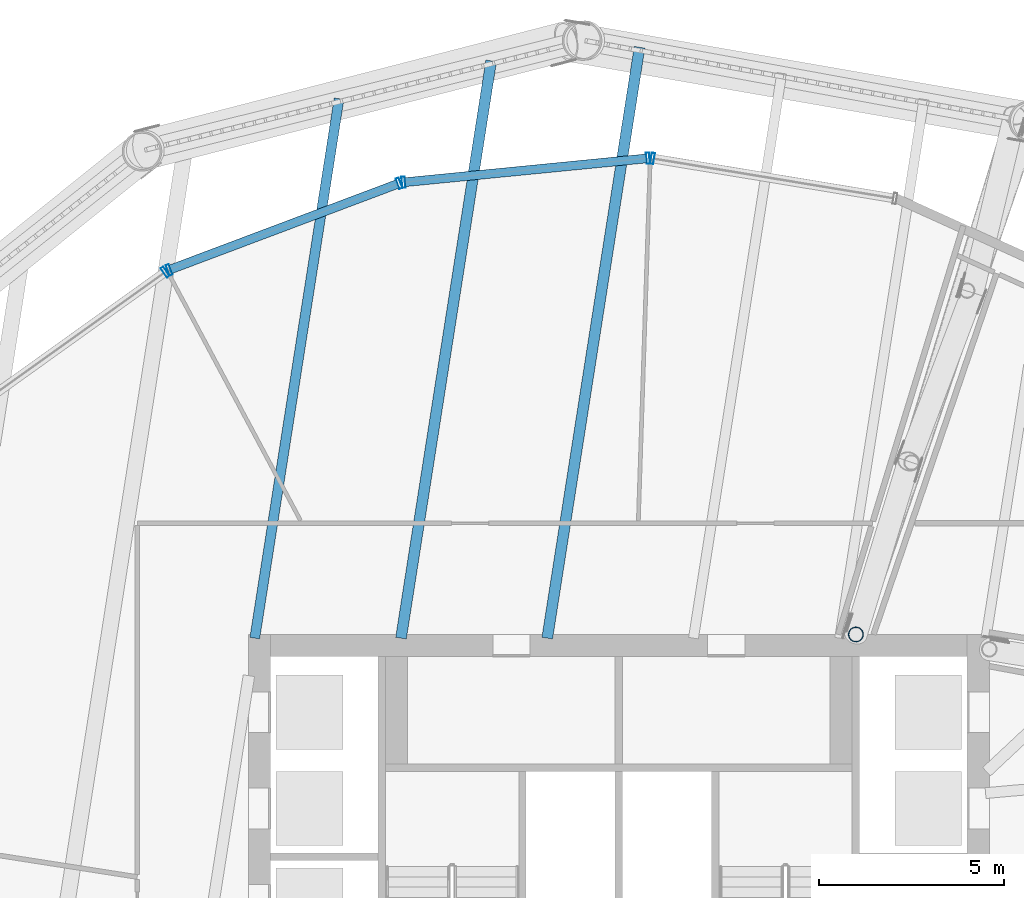
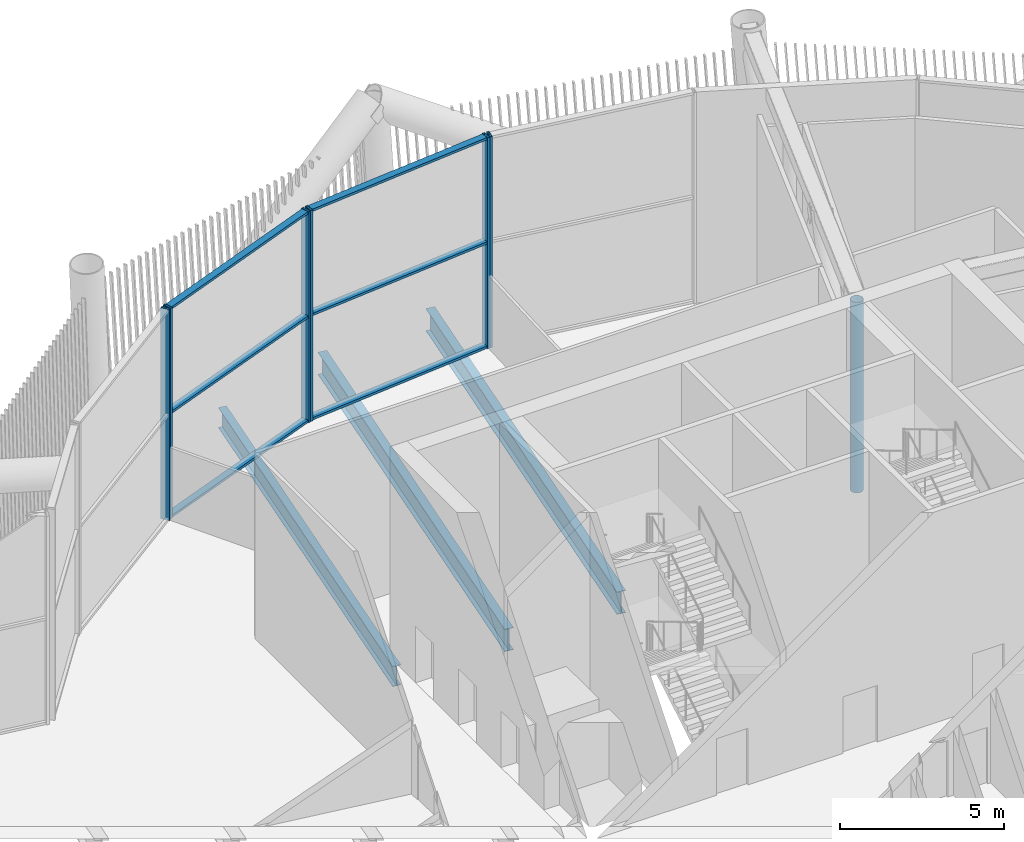
# One storey, part 23 of 55: 13 members, 3 beams, 4 elements without a shape of their own.
"""IFC4 building model written with IfcOpenShell, lengths in metres."""

from ifc_helpers import new_model, si_unit, direction, frame, origin, origin_2d, place, context, subcontext, project, spatial, hollow_rectangle, hollow_circle, i_section, extrude, material, layer, layer_set, material_profile, profile_set, type_object, element, aggregate, save


model = new_model("IFC4")

# Units and contexts
model_context = context("Model", 3, precision=1e-05, world=origin(), true_north=direction((0.0, 1.0)))
body_context = subcontext(model_context, "Body", "Model", "MODEL_VIEW")
ifc_project = project(units=[si_unit("LENGTHUNIT", "METRE"), si_unit("AREAUNIT", "SQUARE_METRE"), si_unit("VOLUMEUNIT", "CUBIC_METRE"), si_unit("PLANEANGLEUNIT", "RADIAN"), si_unit("MASSUNIT", "GRAM", prefix="KILO")], contexts=[model_context])

# Site, building, storey
site_placement = place(None, origin())
site = spatial("IfcSite", under=ifc_project, at=site_placement, CompositionType="ELEMENT")
building_placement = place(site_placement, origin())
building = spatial("IfcBuilding", under=site, at=building_placement, Name="Tarsis Ring Headquarters", CompositionType="ELEMENT")
storey_placement = place(building_placement, frame((0.0, 0.0, 247.199951171875)))
storey = spatial("IfcBuildingStorey", under=building, at=storey_placement, Name="L58", CompositionType="ELEMENT", Elevation=247.199951171875)

# Curtain wall, member
ifc_material_1 = material(Name="Aluminium curtain wall", Category="aluminium")
ifc_layer = layer(ifc_material_1, 0.300048828125)
ifc_layer_set = layer_set([ifc_layer], Name="Curtain wall upper sky lobby")
curtain_wall_type = type_object("IfcCurtainWallType", Name="Curtain wall upper sky lobby", PredefinedType="NOTDEFINED", material=ifc_layer_set)
curtain_wall_1_placement = place(storey_placement, origin())
curtain_wall_1 = element("IfcCurtainWall", 1, at=curtain_wall_1_placement, inside=storey, type_object=curtain_wall_type, Name="Curtain wall L58-26", PredefinedType="NOTDEFINED")
ifc_material_2 = material(Name="Aluminium mullion", Category="aluminium")
ifc_material_profile_1 = material_profile(ifc_material_2, hollow_rectangle(XDim=0.300048828125, YDim=0.090087890625, WallThickness=0.0048828125, at=origin_2d()), Name="RHS 300x90x5")
ifc_profile_set_1 = profile_set([ifc_material_profile_1], Name="Aluminium mullion")
member_type_1 = type_object("IfcMemberType", Name="Curtain wall mullion upper sky lobby RHS 300x90x5", PredefinedType="MULLION", material=ifc_profile_set_1)
member_1_placement = place(storey_placement, frame((0.909423828125, 25.85009765625, 0.0), z_axis=(0.0, 0.0, 1.0), x_axis=(-0.162981380647, -0.986629144898, 0.0)))
member_1 = element("IfcMember", 2, at=member_1_placement, type_object=member_type_1, Name="CW-U mullion 2", PredefinedType="MULLION", context=body_context, shape_type="SweptSolid", body=[
    extrude(hollow_rectangle(XDim=0.300048828125, YDim=0.090087890625, WallThickness=0.0048828125, at=origin_2d()), origin(), (0.0, 0.0, 1.0), 7.840087890625),
])
aggregate(curtain_wall_1, [member_1])

# Curtain wall, members
curtain_wall_2_placement = place(storey_placement, origin())
curtain_wall_2 = element("IfcCurtainWall", 3, at=curtain_wall_2_placement, inside=storey, type_object=curtain_wall_type, Name="Curtain wall L58-27", PredefinedType="NOTDEFINED")
member_2_placement = place(storey_placement, frame((0.78759765625, 25.85400390625, 0.0), z_axis=(0.0, 0.0, 1.0), x_axis=(0.09793030081, -0.995193275793, 0.0)))
member_2 = element("IfcMember", 4, at=member_2_placement, type_object=member_type_1, Name="CW-U mullion 1", PredefinedType="MULLION", context=body_context, shape_type="SweptSolid", body=[
    extrude(hollow_rectangle(XDim=0.300048828125, YDim=0.090087890625, WallThickness=0.0048828125, at=origin_2d()), origin(), (0.0, 0.0, 1.0), 7.840087890625),
])
member_3_placement = place(storey_placement, frame((-5.81201171875, 25.20458984375, 0.0), z_axis=(0.0, 0.0, 1.0), x_axis=(0.09793030081, -0.995193275793, 0.0)))
member_3 = element("IfcMember", 5, at=member_3_placement, type_object=member_type_1, Name="CW-U mullion 2", PredefinedType="MULLION", context=body_context, shape_type="SweptSolid", body=[
    extrude(hollow_rectangle(XDim=0.300048828125, YDim=0.090087890625, WallThickness=0.0048828125, at=origin_2d()), origin(), (0.0, 0.0, 1.0), 7.840087890625),
])

curtain_wall_3_placement = place(storey_placement, origin())
curtain_wall_3 = element("IfcCurtainWall", 6, at=curtain_wall_3_placement, inside=storey, type_object=curtain_wall_type, Name="Curtain wall L58-28", PredefinedType="NOTDEFINED")
member_4_placement = place(storey_placement, frame((-5.9306640625, 25.177001953125, 0.0), z_axis=(0.0, 0.0, 1.0), x_axis=(0.352168368986, -0.935936664463, 0.0)))
member_4 = element("IfcMember", 7, at=member_4_placement, type_object=member_type_1, Name="CW-U mullion 1", PredefinedType="MULLION", context=body_context, shape_type="SweptSolid", body=[
    extrude(hollow_rectangle(XDim=0.300048828125, YDim=0.090087890625, WallThickness=0.0048828125, at=origin_2d()), origin(), (0.0, 0.0, 1.0), 7.840087890625),
])
member_5_placement = place(storey_placement, frame((-12.137451171875, 22.841552734375, 0.0), z_axis=(0.0, 0.0, 1.0), x_axis=(0.352168368986, -0.935936664463, 0.0)))
member_5 = element("IfcMember", 8, at=member_5_placement, type_object=member_type_1, Name="CW-U mullion 2", PredefinedType="MULLION", context=body_context, shape_type="SweptSolid", body=[
    extrude(hollow_rectangle(XDim=0.300048828125, YDim=0.090087890625, WallThickness=0.0048828125, at=origin_2d()), origin(), (0.0, 0.0, 1.0), 7.840087890625),
])

# Curtain wall, member
curtain_wall_4_placement = place(storey_placement, origin())
curtain_wall_4 = element("IfcCurtainWall", 9, at=curtain_wall_4_placement, inside=storey, type_object=curtain_wall_type, Name="Curtain wall L58-29", PredefinedType="NOTDEFINED")
member_6_placement = place(storey_placement, frame((-12.244873046875, 22.783935546875, 0.0), z_axis=(0.0, 0.0, 1.0), x_axis=(0.582406653888, -0.812897588573, 0.0)))
member_6 = element("IfcMember", 10, at=member_6_placement, type_object=member_type_1, Name="CW-U mullion 1", PredefinedType="MULLION", context=body_context, shape_type="SweptSolid", body=[
    extrude(hollow_rectangle(XDim=0.300048828125, YDim=0.090087890625, WallThickness=0.0048828125, at=origin_2d()), origin(), (0.0, 0.0, 1.0), 7.840087890625),
])
aggregate(curtain_wall_4, [member_6])

# Member
ifc_material_3 = material(Name="Aluminium transom", Category="aluminium")
ifc_material_profile_2 = material_profile(ifc_material_3, hollow_rectangle(XDim=0.239990234375, YDim=0.090087890625, WallThickness=0.0048828125, at=origin_2d()), Name="RHS 240x90x5")
ifc_profile_set_2 = profile_set([ifc_material_profile_2], Name="Aluminium transom")
member_type_2 = type_object("IfcMemberType", Name="Curtain wall transom upper sky lobby RHS 240x90x5", PredefinedType="USERDEFINED", material=ifc_profile_set_2)
member_7_placement = place(storey_placement, frame((0.742919921875, 25.849609375, 0.045166015625), z_axis=(-0.995192999165, -0.097933111937, 0.0), x_axis=(0.097933111937, -0.995192999165, 0.0)))
member_7 = element("IfcMember", 11, at=member_7_placement, type_object=member_type_2, Name="CW-U transom 1.1", ObjectType="TRANSOM", PredefinedType="USERDEFINED", context=body_context, shape_type="SweptSolid", body=[
    extrude(hollow_rectangle(XDim=0.239990234375, YDim=0.090087890625, WallThickness=0.0048828125, at=origin_2d()), origin(), (0.0, 0.0, 1.0), 6.54150390625),
])

member_8_placement = place(storey_placement, frame((0.742919921875, 25.849609375, 3.920166015625), z_axis=(-0.995192999165, -0.097933111937, 0.0), x_axis=(0.097933111937, -0.995192999165, 0.0)))
member_8 = element("IfcMember", 12, at=member_8_placement, type_object=member_type_2, Name="CW-U transom 1.2", ObjectType="TRANSOM", PredefinedType="USERDEFINED", context=body_context, shape_type="SweptSolid", body=[
    extrude(hollow_rectangle(XDim=0.239990234375, YDim=0.090087890625, WallThickness=0.0048828125, at=origin_2d()), origin(), (0.0, 0.0, 1.0), 6.54150390625),
])

member_9_placement = place(storey_placement, frame((0.742919921875, 25.849609375, 7.795166015625), z_axis=(-0.995192999165, -0.097933111937, 0.0), x_axis=(0.097933111937, -0.995192999165, 0.0)))
member_9 = element("IfcMember", 13, at=member_9_placement, type_object=member_type_2, Name="CW-U transom 1.3", ObjectType="TRANSOM", PredefinedType="USERDEFINED", context=body_context, shape_type="SweptSolid", body=[
    extrude(hollow_rectangle(XDim=0.239990234375, YDim=0.090087890625, WallThickness=0.0048828125, at=origin_2d()), origin(), (0.0, 0.0, 1.0), 6.54150390625),
])

aggregate(curtain_wall_2, [member_2, member_3, member_7, member_8, member_9])

member_10_placement = place(storey_placement, frame((-5.972900390625, 25.1611328125, 0.045166015625), z_axis=(-0.93593440139, -0.35217438336, 0.0), x_axis=(0.35217438336, -0.93593440139, 0.0)))
member_10 = element("IfcMember", 14, at=member_10_placement, type_object=member_type_2, Name="CW-U transom 1.1", ObjectType="TRANSOM", PredefinedType="USERDEFINED", context=body_context, shape_type="SweptSolid", body=[
    extrude(hollow_rectangle(XDim=0.239990234375, YDim=0.090087890625, WallThickness=0.0048828125, at=origin_2d()), origin(), (0.0, 0.0, 1.0), 6.54150390625),
])

member_11_placement = place(storey_placement, frame((-5.972900390625, 25.1611328125, 3.920166015625), z_axis=(-0.93593440139, -0.35217438336, 0.0), x_axis=(0.35217438336, -0.93593440139, 0.0)))
member_11 = element("IfcMember", 15, at=member_11_placement, type_object=member_type_2, Name="CW-U transom 1.2", ObjectType="TRANSOM", PredefinedType="USERDEFINED", context=body_context, shape_type="SweptSolid", body=[
    extrude(hollow_rectangle(XDim=0.239990234375, YDim=0.090087890625, WallThickness=0.0048828125, at=origin_2d()), origin(), (0.0, 0.0, 1.0), 6.54150390625),
])

member_12_placement = place(storey_placement, frame((-5.972900390625, 25.1611328125, 7.795166015625), z_axis=(-0.93593440139, -0.35217438336, 0.0), x_axis=(0.35217438336, -0.93593440139, 0.0)))
member_12 = element("IfcMember", 16, at=member_12_placement, type_object=member_type_2, Name="CW-U transom 1.3", ObjectType="TRANSOM", PredefinedType="USERDEFINED", context=body_context, shape_type="SweptSolid", body=[
    extrude(hollow_rectangle(XDim=0.239990234375, YDim=0.090087890625, WallThickness=0.0048828125, at=origin_2d()), origin(), (0.0, 0.0, 1.0), 6.54150390625),
])

aggregate(curtain_wall_3, [member_4, member_5, member_10, member_11, member_12])

# Beams
ifc_material_4 = material(Name="Structural steel S355", Category="steel")
ifc_material_profile_3 = material_profile(ifc_material_4, i_section(OverallWidth=0.2666015625, OverallDepth=0.7568359375, WebThickness=0.013916015625, FlangeThickness=0.019287109375, at=origin_2d()), Name="W30x108")
ifc_profile_set_3 = profile_set([ifc_material_profile_3], Name="Structural steel S355")
beam_type_1 = type_object("IfcBeamType", Name="FB Floor beam W30x108", PredefinedType="JOIST", material=ifc_profile_set_3)
beam_1_placement = place(storey_placement, frame((-7.55126953125, 27.4619140625, -0.678466796875), z_axis=(-0.154362225088, -0.988014323512, 0.0), x_axis=(0.988014323512, -0.154362225088, 0.0)))
element("IfcBeam", 17, at=beam_1_placement, inside=storey, type_object=beam_type_1, Name="Floor beam FB6", PredefinedType="JOIST", context=body_context, shape_type="SweptSolid", body=[
    extrude(i_section(OverallWidth=0.2666015625, OverallDepth=0.7568359375, WebThickness=0.013916015625, FlangeThickness=0.019287109375, at=origin_2d()), origin(), (0.0, 0.0, 1.0), 14.737548828125),
])
ifc_material_profile_4 = material_profile(ifc_material_4, i_section(OverallWidth=0.2919921875, OverallDepth=0.835693359375, WebThickness=0.013916015625, FlangeThickness=0.018798828125, at=origin_2d()), Name="W33x118")
ifc_profile_set_4 = profile_set([ifc_material_profile_4], Name="Structural steel S355")
beam_type_2 = type_object("IfcBeamType", Name="FB Floor beam W33x118", PredefinedType="JOIST", material=ifc_profile_set_4)
beam_2_placement = place(storey_placement, frame((0.560302734375, 28.8505859375, -0.7177734375), z_axis=(-0.154367191897, -0.988013547511, 0.0), x_axis=(0.988013547511, -0.154367191897, 0.0)))
element("IfcBeam", 18, at=beam_2_placement, inside=storey, type_object=beam_type_2, Name="Floor beam FB7", PredefinedType="JOIST", context=body_context, shape_type="SweptSolid", body=[
    extrude(i_section(OverallWidth=0.2919921875, OverallDepth=0.835693359375, WebThickness=0.013916015625, FlangeThickness=0.018798828125, at=origin_2d()), origin(), (0.0, 0.0, 1.0), 16.14306640625),
])
beam_3_placement = place(storey_placement, frame((-3.4443359375, 28.484130859375, -0.7177734375), z_axis=(-0.154359881024, -0.988014689734, 0.0), x_axis=(0.988014689734, -0.154359881024, 0.0)))
element("IfcBeam", 19, at=beam_3_placement, inside=storey, type_object=beam_type_2, Name="Floor beam FB7", PredefinedType="JOIST", context=body_context, shape_type="SweptSolid", body=[
    extrude(i_section(OverallWidth=0.2919921875, OverallDepth=0.835693359375, WebThickness=0.013916015625, FlangeThickness=0.018798828125, at=origin_2d()), origin(), (0.0, 0.0, 1.0), 15.77197265625),
])

# Member
ifc_material_profile_5 = material_profile(ifc_material_4, hollow_circle(Radius=0.203125, WallThickness=0.01611328125, at=origin_2d()), Name="CHS 406x16")
ifc_profile_set_5 = profile_set([ifc_material_profile_5], Name="Structural steel S355")
member_type_3 = type_object("IfcMemberType", Name="OV Outrigger post CHS 406x16", PredefinedType="STRUT", material=ifc_profile_set_5)
member_13_placement = place(storey_placement, frame((6.39990234375, 13.0, 0.508056640625), z_axis=(0.0, 0.0, 1.0), x_axis=(1.0, 0.0, 0.0)))
element("IfcMember", 20, at=member_13_placement, inside=storey, type_object=member_type_3, Name="Outrigger post OV1", PredefinedType="STRUT", context=body_context, shape_type="SweptSolid", body=[
    extrude(hollow_circle(Radius=0.203125, WallThickness=0.01611328125, at=origin_2d()), origin(), (0.0, 0.0, 1.0), 7.077880859375),
])

save(model, "model.ifc")
